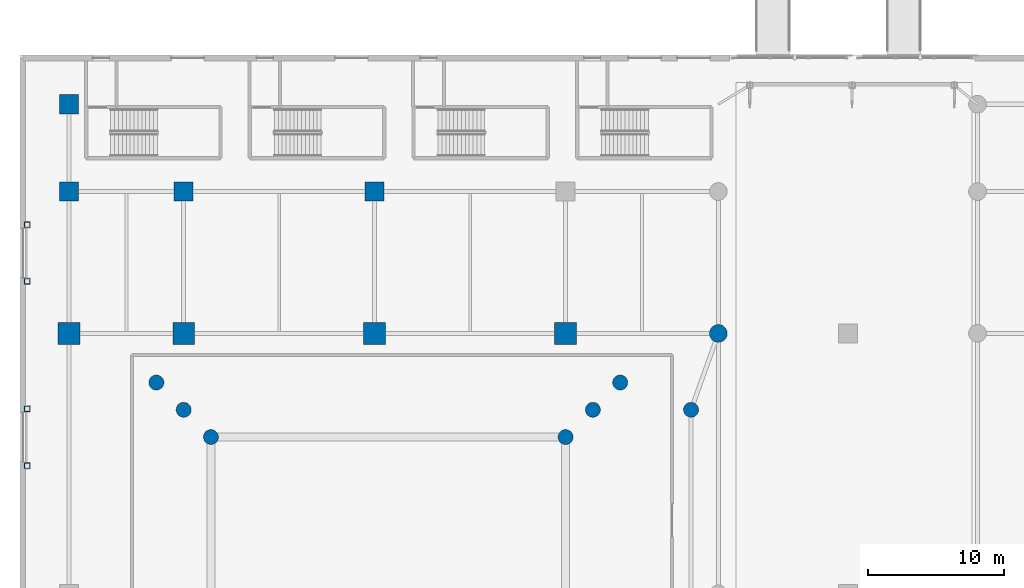
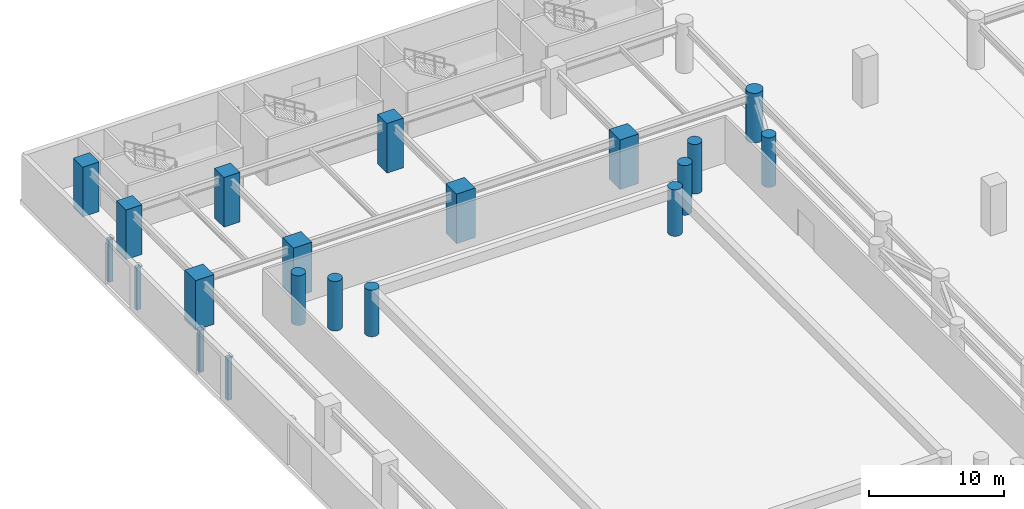
# One storey, part 7 of 42: 20 columns.
"""IFC4 building model written with IfcOpenShell, lengths in metres."""

from ifc_helpers import new_model, si_unit, direction, frame, origin, origin_2d, place, context, subcontext, project, spatial, rectangle, hollow_rectangle, circle, extrude, material, material_profile, profile_set, type_object, element, save


model = new_model("IFC4")

# Units and contexts
model_context = context("Model", 3, precision=1e-05, world=origin(), true_north=direction((0.0, 1.0)))
body_context = subcontext(model_context, "Body", "Model", "MODEL_VIEW")
ifc_project = project(units=[si_unit("LENGTHUNIT", "METRE"), si_unit("AREAUNIT", "SQUARE_METRE"), si_unit("VOLUMEUNIT", "CUBIC_METRE"), si_unit("PLANEANGLEUNIT", "RADIAN"), si_unit("MASSUNIT", "GRAM", prefix="KILO")], contexts=[model_context])

# Site, building, storey
site_placement = place(None, origin())
site = spatial("IfcSite", under=ifc_project, at=site_placement, CompositionType="ELEMENT")
building_placement = place(site_placement, origin())
building = spatial("IfcBuilding", under=site, at=building_placement, Name="Narakoshi Arena Tower", CompositionType="ELEMENT")
storey_placement = place(building_placement, origin())
storey = spatial("IfcBuildingStorey", under=building, at=storey_placement, Name="L00", CompositionType="ELEMENT", Elevation=0.0)

# Columns
ifc_material_1 = material(Name="Concrete C50/60", Category="concrete")
ifc_material_profile_1 = material_profile(ifc_material_1, circle(Radius=0.550048828125, at=origin_2d()), Name="RCC1100")
ifc_profile_set_1 = profile_set([ifc_material_profile_1], Name="Concrete C50/60")
column_type_1 = type_object("IfcColumnType", Name="COL-CIR1100", PredefinedType="PILASTER", material=ifc_profile_set_1)
for number, where, z_axis, x_axis, name in (
    (1, (40.0, 68.0, 0.0), (0.0, 0.0, 1.0), (1.0, 0.0, 0.0), "L00 Arena Bowl Raker Column BWL1C"),
    (2, (14.0, 68.0, 0.0), (0.0, 0.0, 1.0), (1.0, 0.0, 0.0), "L00 Arena Bowl Raker Column BWL1D"),
):
    element("IfcColumn", number, at=place(storey_placement, frame(where, z_axis=z_axis, x_axis=x_axis)), inside=storey, type_object=column_type_1, Name=name, PredefinedType="PILASTER", context=body_context, shape_type="SweptSolid", body=[
        extrude(circle(Radius=0.550048828125, at=origin_2d()), origin(), (0.0, 0.0, 1.0), 4.219970703125),
    ])
for number, where, z_axis, x_axis, name in (
    (3, (42.0, 70.0, 0.0), (0.0, 0.0, 1.0), (1.0, 0.0, 0.0), "L00 Arena Bowl Raker Column BWL2C"),
    (4, (12.0, 70.0, 0.0), (0.0, 0.0, 1.0), (1.0, 0.0, 0.0), "L00 Arena Bowl Raker Column BWL2D"),
    (5, (44.0, 72.0, 0.0), (0.0, 0.0, 1.0), (1.0, 0.0, 0.0), "L00 Arena Bowl Raker Column BWL3C"),
    (6, (10.0, 72.0, 0.0), (0.0, 0.0, 1.0), (1.0, 0.0, 0.0), "L00 Arena Bowl Raker Column BWL3D"),
    (7, (49.199951171875, 70.0, 0.0), (0.0, 0.0, 1.0), (1.0, 0.0, 0.0), "L00 Arena Foyer Pilaster Column 04"),
):
    element("IfcColumn", number, at=place(storey_placement, frame(where, z_axis=z_axis, x_axis=x_axis)), inside=storey, type_object=column_type_1, Name=name, PredefinedType="PILASTER", context=body_context, shape_type="SweptSolid", body=[
        extrude(circle(Radius=0.550048828125, at=origin_2d()), origin(), (0.0, 0.0, 1.0), 4.5),
    ])
ifc_material_2 = material(Name="Concrete C60/75", Category="concrete")
ifc_material_profile_2 = material_profile(ifc_material_2, circle(Radius=0.64990234375, at=origin_2d()), Name="RCC1300")
ifc_profile_set_2 = profile_set([ifc_material_profile_2], Name="Concrete C60/75")
column_type_2 = type_object("IfcColumnType", Name="COL-CIR1300", PredefinedType="PILASTER", material=ifc_profile_set_2)
column_placement = place(storey_placement, frame((51.199951171875, 75.60009765625, 0.0), z_axis=(0.0, 0.0, 1.0), x_axis=(1.0, 0.0, 0.0)))
element("IfcColumn", 8, at=column_placement, inside=storey, type_object=column_type_2, Name="L00 Podium Column PC27", PredefinedType="PILASTER", context=body_context, shape_type="SweptSolid", body=[
    extrude(circle(Radius=0.64990234375, at=origin_2d()), origin(), (0.0, 0.0, 1.0), 4.5),
])
ifc_material_profile_3 = material_profile(ifc_material_2, rectangle(XDim=1.39990234375, YDim=1.39990234375, at=origin_2d()), Name="RC1400x1400")
ifc_profile_set_3 = profile_set([ifc_material_profile_3], Name="Concrete C60/75")
column_type_3 = type_object("IfcColumnType", Name="COL-RC1400", PredefinedType="COLUMN", material=ifc_profile_set_3)
for number, where, z_axis, x_axis, name in (
    (9, (3.60009765625, 86.0, 0.0), (0.0, 0.0, 1.0), (1.0, 0.0, 0.0), "L00 Podium Column PC08"),
    (10, (3.60009765625, 92.39990234375, 0.0), (0.0, 0.0, 1.0), (1.0, 0.0, 0.0), "L00 Podium Column PC09"),
    (11, (12.0, 86.0, 0.0), (0.0, 0.0, 1.0), (1.0, 0.0, 0.0), "L00 Podium Column PC13"),
    (12, (26.0, 86.0, 0.0), (0.0, 0.0, 1.0), (1.0, 0.0, 0.0), "L00 Podium Column PC17"),
):
    element("IfcColumn", number, at=place(storey_placement, frame(where, z_axis=z_axis, x_axis=x_axis)), inside=storey, type_object=column_type_3, Name=name, PredefinedType="COLUMN", context=body_context, shape_type="SweptSolid", body=[
        extrude(rectangle(XDim=1.39990234375, YDim=1.39990234375, at=origin_2d()), origin(), (0.0, 0.0, 1.0), 4.5),
    ])
ifc_material_profile_4 = material_profile(ifc_material_2, rectangle(XDim=1.60009765625, YDim=1.60009765625, at=origin_2d()), Name="RC1600x1600")
ifc_profile_set_4 = profile_set([ifc_material_profile_4], Name="Concrete C60/75")
column_type_4 = type_object("IfcColumnType", Name="COL-RC1600", PredefinedType="COLUMN", material=ifc_profile_set_4)
for number, where, z_axis, x_axis, name in (
    (13, (3.60009765625, 75.60009765625, 0.0), (0.0, 0.0, 1.0), (1.0, 0.0, 0.0), "L00 Podium Column PC07"),
    (14, (12.0, 75.60009765625, 0.0), (0.0, 0.0, 1.0), (1.0, 0.0, 0.0), "L00 Podium Column PC12"),
    (15, (26.0, 75.60009765625, 0.0), (0.0, 0.0, 1.0), (1.0, 0.0, 0.0), "L00 Podium Column PC16"),
    (16, (40.0, 75.60009765625, 0.0), (0.0, 0.0, 1.0), (1.0, 0.0, 0.0), "L00 Podium Column PC20"),
):
    element("IfcColumn", number, at=place(storey_placement, frame(where, z_axis=z_axis, x_axis=x_axis)), inside=storey, type_object=column_type_4, Name=name, PredefinedType="COLUMN", context=body_context, shape_type="SweptSolid", body=[
        extrude(rectangle(XDim=1.60009765625, YDim=1.60009765625, at=origin_2d()), origin(), (0.0, 0.0, 1.0), 4.5),
    ])
ifc_material_3 = material(Name="Structural steel S355J2", Category="steel")
ifc_material_profile_5 = material_profile(ifc_material_3, hollow_rectangle(XDim=0.39990234375, YDim=0.39990234375, WallThickness=0.02001953125, OuterFilletRadius=0.0400390625, at=origin_2d()), Name="SHS400x400x20")
ifc_profile_set_5 = profile_set([ifc_material_profile_5], Name="Structural steel S355J2")
column_type_5 = type_object("IfcColumnType", Name="COL-SHS400", PredefinedType="COLUMN", material=ifc_profile_set_5)
for number, where, z_axis, x_axis, name in (
    (17, (0.52001953125, 83.570068359375, 0.0), (0.0, 0.0, 1.0), (1.0, 0.0, 0.0), "L00 Shutter Lintel Jamb Post 01N"),
    (18, (0.52001953125, 79.409912109375, 0.0), (0.0, 0.0, 1.0), (1.0, 0.0, 0.0), "L00 Shutter Lintel Jamb Post 01S"),
    (19, (0.52001953125, 70.070068359375, 0.0), (0.0, 0.0, 1.0), (1.0, 0.0, 0.0), "L00 Shutter Lintel Jamb Post 02N"),
    (20, (0.52001953125, 65.909912109375, 0.0), (0.0, 0.0, 1.0), (1.0, 0.0, 0.0), "L00 Shutter Lintel Jamb Post 02S"),
):
    element("IfcColumn", number, at=place(storey_placement, frame(where, z_axis=z_axis, x_axis=x_axis)), inside=storey, type_object=column_type_5, Name=name, PredefinedType="COLUMN", context=body_context, shape_type="SweptSolid", body=[
        extrude(hollow_rectangle(XDim=0.39990234375, YDim=0.39990234375, WallThickness=0.02001953125, OuterFilletRadius=0.0400390625, at=origin_2d()), origin(), (0.0, 0.0, 1.0), 3.820068359375),
    ])

save(model, "model.ifc")
